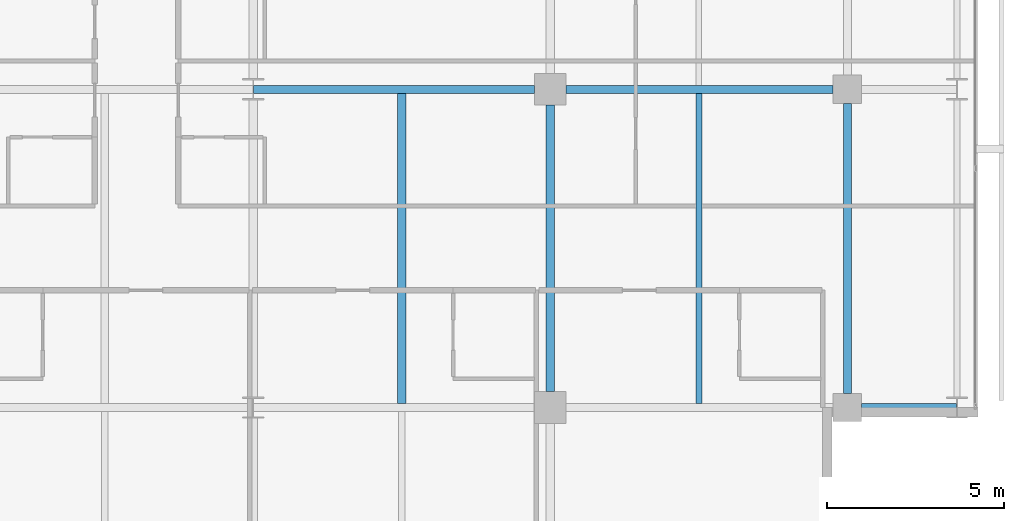
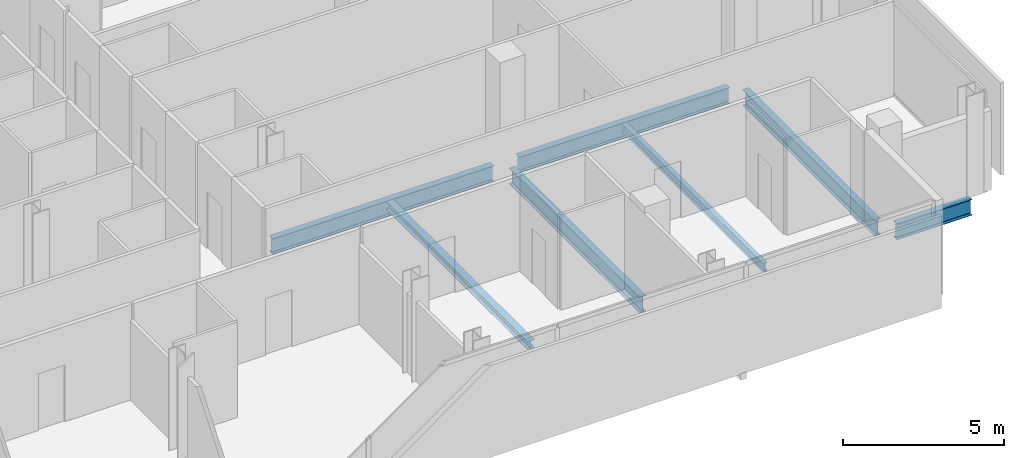
# One storey, part 14 of 34: 7 beams.
"""IFC4 building model written with IfcOpenShell, lengths in metres."""

from ifc_helpers import new_model, si_unit, direction, frame, origin, origin_2d, place, context, subcontext, project, spatial, i_section, extrude, material, material_profile, profile_set, type_object, element, save


model = new_model("IFC4")

# Units and contexts
model_context = context("Model", 3, precision=1e-05, world=origin(), true_north=direction((0.0, 1.0)))
body_context = subcontext(model_context, "Body", "Model", "MODEL_VIEW")
ifc_project = project(units=[si_unit("LENGTHUNIT", "METRE"), si_unit("AREAUNIT", "SQUARE_METRE"), si_unit("VOLUMEUNIT", "CUBIC_METRE"), si_unit("PLANEANGLEUNIT", "RADIAN"), si_unit("MASSUNIT", "GRAM", prefix="KILO")], contexts=[model_context])

# Site, building, storey
site_placement = place(None, origin())
site = spatial("IfcSite", under=ifc_project, at=site_placement, CompositionType="ELEMENT")
building_placement = place(site_placement, origin())
building = spatial("IfcBuilding", under=site, at=building_placement, Name="Maruvema Waterfront Hotel and Observation Tower", CompositionType="ELEMENT")
storey_placement = place(building_placement, frame((0.0, 0.0, 177.449951171875)))
storey = spatial("IfcBuildingStorey", under=building, at=storey_placement, Name="L43", CompositionType="ELEMENT", Elevation=177.449951171875)

# Beams
ifc_material_1 = material(Name="Steel ASTM A572 Grade 50", Category="steel")
ifc_material_profile_1 = material_profile(ifc_material_1, i_section(OverallWidth=0.22802734375, OverallDepth=0.60302734375, WebThickness=0.010498046875, FlangeThickness=0.014892578125, FilletRadius=0.01806640625, at=origin_2d()), Name="W610x101.0")
ifc_profile_set_1 = profile_set([ifc_material_profile_1], Name="Steel ASTM A572 Grade 50")
beam_type_1 = type_object("IfcBeamType", Name="Primary Floor Girder W610x101.0", PredefinedType="BEAM", material=ifc_profile_set_1)
beam_1_placement = place(storey_placement, frame((59.199951171875, 9.0, -0.54150390625), z_axis=(1.0, 0.0, 0.0), x_axis=(0.0, 1.0, 0.0)))
element("IfcBeam", 1, at=beam_1_placement, inside=storey, type_object=beam_type_1, Name="L43 Floor Girder EW-10", PredefinedType="BEAM", context=body_context, shape_type="SweptSolid", body=[
    extrude(i_section(OverallWidth=0.22802734375, OverallDepth=0.60302734375, WebThickness=0.010498046875, FlangeThickness=0.014892578125, FilletRadius=0.01806640625, at=origin_2d()), origin(), (0.0, 0.0, 1.0), 2.6875),
])
beam_2_placement = place(storey_placement, frame((42.012451171875, 18.0, -0.54150390625), z_axis=(1.0, 0.0, 0.0), x_axis=(0.0, 1.0, 0.0)))
element("IfcBeam", 2, at=beam_2_placement, inside=storey, type_object=beam_type_1, Name="L43 Floor Girder EW-15", PredefinedType="BEAM", context=body_context, shape_type="SweptSolid", body=[
    extrude(i_section(OverallWidth=0.22802734375, OverallDepth=0.60302734375, WebThickness=0.010498046875, FlangeThickness=0.014892578125, FilletRadius=0.01806640625, at=origin_2d()), origin(), (0.0, 0.0, 1.0), 7.9375),
])
beam_3_placement = place(storey_placement, frame((50.85009765625, 18.0, -0.54150390625), z_axis=(1.0, 0.0, 0.0), x_axis=(0.0, 1.0, 0.0)))
element("IfcBeam", 3, at=beam_3_placement, inside=storey, type_object=beam_type_1, Name="L43 Floor Girder EW-16", PredefinedType="BEAM", context=body_context, shape_type="SweptSolid", body=[
    extrude(i_section(OverallWidth=0.22802734375, OverallDepth=0.60302734375, WebThickness=0.010498046875, FlangeThickness=0.014892578125, FilletRadius=0.01806640625, at=origin_2d()), origin(), (0.0, 0.0, 1.0), 7.5498046875),
])
beam_4_placement = place(storey_placement, frame((50.39990234375, 9.449951171875, -0.54150390625), z_axis=(0.0, 1.0, 0.0), x_axis=(-1.0, 0.0, 0.0)))
element("IfcBeam", 4, at=beam_4_placement, inside=storey, type_object=beam_type_1, Name="L43 Floor Girder NS-21", PredefinedType="BEAM", context=body_context, shape_type="SweptSolid", body=[
    extrude(i_section(OverallWidth=0.22802734375, OverallDepth=0.60302734375, WebThickness=0.010498046875, FlangeThickness=0.014892578125, FilletRadius=0.01806640625, at=origin_2d()), origin(), (0.0, 0.0, 1.0), 8.10009765625),
])
beam_5_placement = place(storey_placement, frame((58.800048828125, 9.39990234375, -0.54150390625), z_axis=(0.0, 1.0, 0.0), x_axis=(-1.0, 0.0, 0.0)))
element("IfcBeam", 5, at=beam_5_placement, inside=storey, type_object=beam_type_1, Name="L43 Floor Girder NS-25", PredefinedType="BEAM", context=body_context, shape_type="SweptSolid", body=[
    extrude(i_section(OverallWidth=0.22802734375, OverallDepth=0.60302734375, WebThickness=0.010498046875, FlangeThickness=0.014892578125, FilletRadius=0.01806640625, at=origin_2d()), origin(), (0.0, 0.0, 1.0), 8.2001953125),
])
ifc_material_2 = material(Name="Steel ASTM A572 Grade 50", Category="steel")
ifc_material_profile_2 = material_profile(ifc_material_2, i_section(OverallWidth=0.1669921875, OverallDepth=0.31689453125, WebThickness=0.007568359375, FlangeThickness=0.01318359375, FilletRadius=0.012939453125, at=origin_2d()), Name="W310x52.0")
ifc_profile_set_2 = profile_set([ifc_material_profile_2], Name="Steel ASTM A572 Grade 50")
beam_type_2 = type_object("IfcBeamType", Name="Secondary Floor Joist W310x52.0", PredefinedType="JOIST", material=ifc_profile_set_2)
beam_6_placement = place(storey_placement, frame((54.60009765625, 9.114013671875, -0.3984375), z_axis=(0.0, 1.0, 0.0), x_axis=(-1.0, 0.0, 0.0)))
element("IfcBeam", 6, at=beam_6_placement, inside=storey, type_object=beam_type_2, Name="L43 Secondary Floor Joist JS-11", PredefinedType="JOIST", context=body_context, shape_type="SweptSolid", body=[
    extrude(i_section(OverallWidth=0.1669921875, OverallDepth=0.31689453125, WebThickness=0.007568359375, FlangeThickness=0.01318359375, FilletRadius=0.012939453125, at=origin_2d()), origin(), (0.0, 0.0, 1.0), 8.77197265625),
])
ifc_material_3 = material(Name="Steel ASTM A572 Grade 50", Category="steel")
ifc_material_profile_3 = material_profile(ifc_material_3, i_section(OverallWidth=0.25390625, OverallDepth=0.305908203125, WebThickness=0.0087890625, FlangeThickness=0.0146484375, FilletRadius=0.014892578125, at=origin_2d()), Name="W310x79.0")
ifc_profile_set_3 = profile_set([ifc_material_profile_3], Name="Steel ASTM A572 Grade 50")
beam_type_3 = type_object("IfcBeamType", Name="Secondary Floor Joist W310x79.0", PredefinedType="JOIST", material=ifc_profile_set_3)
beam_7_placement = place(storey_placement, frame((46.199951171875, 9.114013671875, -0.39306640625), z_axis=(0.0, 1.0, 0.0), x_axis=(-1.0, 0.0, 0.0)))
element("IfcBeam", 7, at=beam_7_placement, inside=storey, type_object=beam_type_3, Name="L43 Secondary Floor Joist JS-10", PredefinedType="JOIST", context=body_context, shape_type="SweptSolid", body=[
    extrude(i_section(OverallWidth=0.25390625, OverallDepth=0.305908203125, WebThickness=0.0087890625, FlangeThickness=0.0146484375, FilletRadius=0.014892578125, at=origin_2d()), origin(), (0.0, 0.0, 1.0), 8.77197265625),
])

save(model, "model.ifc")
